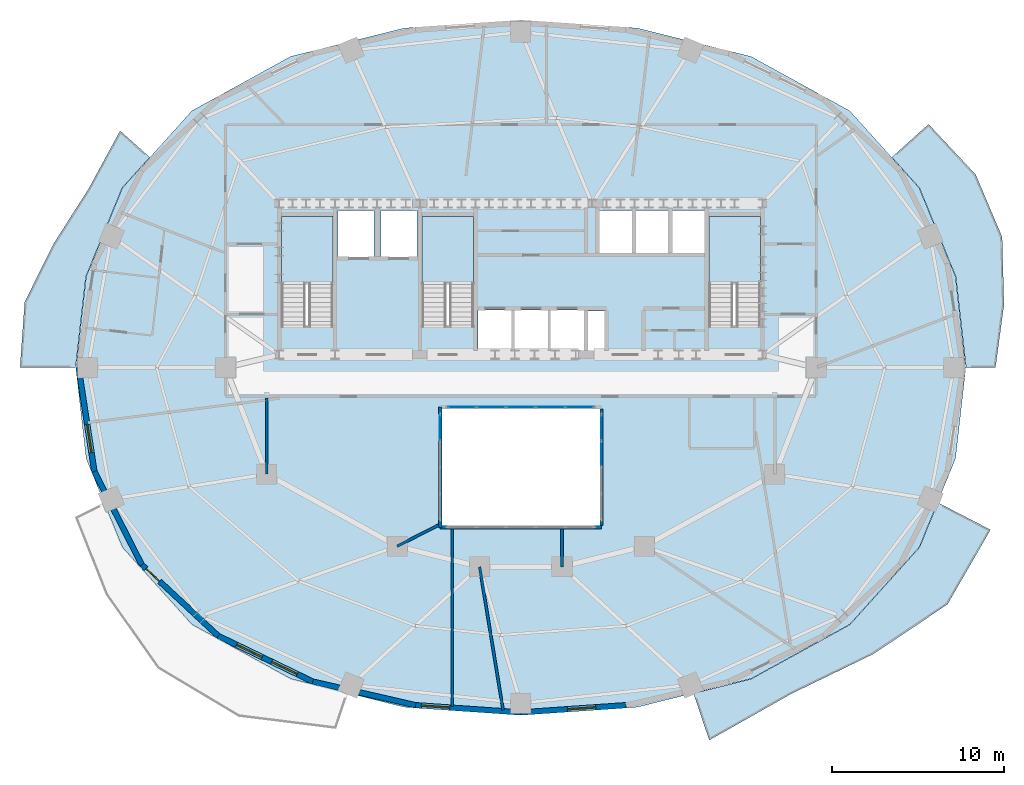
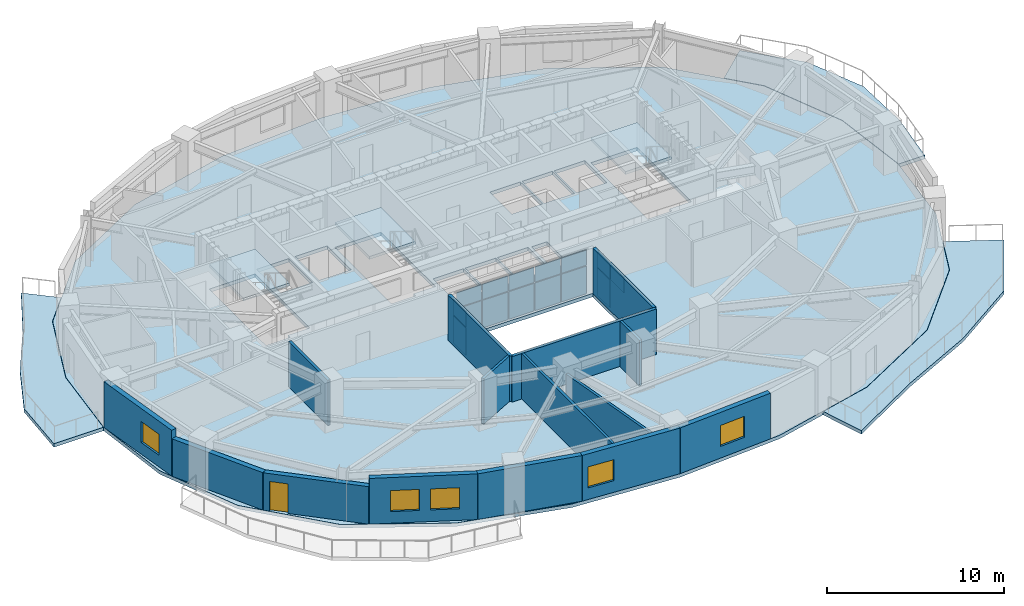
# One storey, part 5 of 12: 15 plates, 15 walls, 7 slabs, 5 windows, 1 door, 6 openings, 6 elements without a shape of their own.
"""IFC4 building model written with IfcOpenShell, lengths in metres."""

from ifc_helpers import new_model, si_unit, direction, frame, frame_2d, origin, origin_2d, place, context, subcontext, project, spatial, polyline, rectangle, outline, extrude, material, layer, layer_set, type_object, element, fill, aggregate, save


model = new_model("IFC4")

# Units and contexts
model_context = context("Model", 3, precision=1e-05, world=origin(), true_north=direction((0.0, 1.0)))
body_context = subcontext(model_context, "Body", "Model", "MODEL_VIEW")
ifc_project = project(units=[si_unit("LENGTHUNIT", "METRE"), si_unit("AREAUNIT", "SQUARE_METRE"), si_unit("VOLUMEUNIT", "CUBIC_METRE"), si_unit("PLANEANGLEUNIT", "RADIAN"), si_unit("MASSUNIT", "GRAM", prefix="KILO")], contexts=[model_context])

# Site, building, storey
site_placement = place(None, origin())
site = spatial("IfcSite", under=ifc_project, at=site_placement, CompositionType="ELEMENT")
building_placement = place(site_placement, origin())
building = spatial("IfcBuilding", under=site, at=building_placement, Name="Haldorwick Loom Tower", CompositionType="ELEMENT")
storey_placement = place(building_placement, frame((0.0, 0.0, 146.0)))
storey = spatial("IfcBuildingStorey", under=building, at=storey_placement, Name="L39", CompositionType="ELEMENT", Elevation=146.0)

# Curtain wall, plates
ifc_material_1 = material(Name="Thermally Broken Anodized Aluminium Curtain Wall Framing", Category="aluminium")
curtain_wall_type = type_object("IfcCurtainWallType", Name="ARC-CW-03", PredefinedType="NOTDEFINED", material=ifc_material_1)
curtain_wall_1_placement = place(storey_placement, origin())
curtain_wall_1 = element("IfcCurtainWall", 1, at=curtain_wall_1_placement, inside=storey, type_object=curtain_wall_type, Name="L39 Atrium Glazed Screen N", PredefinedType="NOTDEFINED")
ifc_material_2 = material(Name="Triple-Glazed Low-E Argon Insulated Glazing Unit", Category="glass")
ifc_layer_1 = layer(ifc_material_2, 0.04296875, Name="Triple-Glazed Low-E Argon Insulated Glazing Unit", Category="glass")
ifc_layer_set_1 = layer_set([ifc_layer_1], Name="Triple-Glazed Low-E Argon Insulated Glazing Unit")
plate_type = type_object("IfcPlateType", Name="ARC-CWP-03", PredefinedType="CURTAIN_PANEL", material=ifc_layer_set_1)
plate_1_placement = place(storey_placement, frame((32.576416015625, 23.699951171875, 0.066162109375), z_axis=(0.0, 0.0, 1.0), x_axis=(1.0, 0.0, 0.0)))
plate_1 = element("IfcPlate", 2, at=plate_1_placement, type_object=plate_type, Name="CW-03 panel 1.1", PredefinedType="CURTAIN_PANEL", context=body_context, shape_type="SweptSolid", body=[
    extrude(rectangle(XDim=1.62109375, YDim=0.04296875, at=origin_2d()), origin(), (0.0, 0.0, 1.0), 1.90087890625),
])
plate_2_placement = place(storey_placement, frame((32.576416015625, 23.699951171875, 2.033203125), z_axis=(0.0, 0.0, 1.0), x_axis=(1.0, 0.0, 0.0)))
plate_2 = element("IfcPlate", 3, at=plate_2_placement, type_object=plate_type, Name="CW-03 panel 1.2", PredefinedType="CURTAIN_PANEL", context=body_context, shape_type="SweptSolid", body=[
    extrude(rectangle(XDim=1.62109375, YDim=0.04296875, at=origin_2d()), origin(), (0.0, 0.0, 1.0), 1.051025390625),
])
plate_3_placement = place(storey_placement, frame((34.280029296875, 23.699951171875, 0.066162109375), z_axis=(0.0, 0.0, 1.0), x_axis=(1.0, 0.0, 0.0)))
plate_3 = element("IfcPlate", 4, at=plate_3_placement, type_object=plate_type, Name="CW-03 panel 2.1", PredefinedType="CURTAIN_PANEL", context=body_context, shape_type="SweptSolid", body=[
    extrude(rectangle(XDim=1.654052734375, YDim=0.04296875, at=origin_2d()), origin(), (0.0, 0.0, 1.0), 1.90087890625),
])
plate_4_placement = place(storey_placement, frame((34.280029296875, 23.699951171875, 2.033203125), z_axis=(0.0, 0.0, 1.0), x_axis=(1.0, 0.0, 0.0)))
plate_4 = element("IfcPlate", 5, at=plate_4_placement, type_object=plate_type, Name="CW-03 panel 2.2", PredefinedType="CURTAIN_PANEL", context=body_context, shape_type="SweptSolid", body=[
    extrude(rectangle(XDim=1.654052734375, YDim=0.04296875, at=origin_2d()), origin(), (0.0, 0.0, 1.0), 1.051025390625),
])
plate_5_placement = place(storey_placement, frame((36.0, 23.699951171875, 0.066162109375), z_axis=(0.0, 0.0, 1.0), x_axis=(1.0, 0.0, 0.0)))
plate_5 = element("IfcPlate", 6, at=plate_5_placement, type_object=plate_type, Name="CW-03 panel 3.1", PredefinedType="CURTAIN_PANEL", context=body_context, shape_type="SweptSolid", body=[
    extrude(rectangle(XDim=1.654052734375, YDim=0.04296875, at=origin_2d()), origin(), (0.0, 0.0, 1.0), 1.90087890625),
])
plate_6_placement = place(storey_placement, frame((36.0, 23.699951171875, 2.033203125), z_axis=(0.0, 0.0, 1.0), x_axis=(1.0, 0.0, 0.0)))
plate_6 = element("IfcPlate", 7, at=plate_6_placement, type_object=plate_type, Name="CW-03 panel 3.2", PredefinedType="CURTAIN_PANEL", context=body_context, shape_type="SweptSolid", body=[
    extrude(rectangle(XDim=1.654052734375, YDim=0.04296875, at=origin_2d()), origin(), (0.0, 0.0, 1.0), 1.051025390625),
])
plate_7_placement = place(storey_placement, frame((37.719970703125, 23.699951171875, 0.066162109375), z_axis=(0.0, 0.0, 1.0), x_axis=(1.0, 0.0, 0.0)))
plate_7 = element("IfcPlate", 8, at=plate_7_placement, type_object=plate_type, Name="CW-03 panel 4.1", PredefinedType="CURTAIN_PANEL", context=body_context, shape_type="SweptSolid", body=[
    extrude(rectangle(XDim=1.654052734375, YDim=0.04296875, at=origin_2d()), origin(), (0.0, 0.0, 1.0), 1.90087890625),
])
plate_8_placement = place(storey_placement, frame((37.719970703125, 23.699951171875, 2.033203125), z_axis=(0.0, 0.0, 1.0), x_axis=(1.0, 0.0, 0.0)))
plate_8 = element("IfcPlate", 9, at=plate_8_placement, type_object=plate_type, Name="CW-03 panel 4.2", PredefinedType="CURTAIN_PANEL", context=body_context, shape_type="SweptSolid", body=[
    extrude(rectangle(XDim=1.654052734375, YDim=0.04296875, at=origin_2d()), origin(), (0.0, 0.0, 1.0), 1.051025390625),
])
plate_9_placement = place(storey_placement, frame((39.423583984375, 23.699951171875, 0.066162109375), z_axis=(0.0, 0.0, 1.0), x_axis=(1.0, 0.0, 0.0)))
plate_9 = element("IfcPlate", 10, at=plate_9_placement, type_object=plate_type, Name="CW-03 panel 5.1", PredefinedType="CURTAIN_PANEL", context=body_context, shape_type="SweptSolid", body=[
    extrude(rectangle(XDim=1.62109375, YDim=0.04296875, at=origin_2d()), origin(), (0.0, 0.0, 1.0), 1.90087890625),
])
plate_10_placement = place(storey_placement, frame((39.423583984375, 23.699951171875, 2.033203125), z_axis=(0.0, 0.0, 1.0), x_axis=(1.0, 0.0, 0.0)))
plate_10 = element("IfcPlate", 11, at=plate_10_placement, type_object=plate_type, Name="CW-03 panel 5.2", PredefinedType="CURTAIN_PANEL", context=body_context, shape_type="SweptSolid", body=[
    extrude(rectangle(XDim=1.62109375, YDim=0.04296875, at=origin_2d()), origin(), (0.0, 0.0, 1.0), 1.051025390625),
])
aggregate(curtain_wall_1, [plate_1, plate_2, plate_3, plate_4, plate_5, plate_6, plate_7, plate_8, plate_9, plate_10])

curtain_wall_2_placement = place(storey_placement, origin())
curtain_wall_2 = element("IfcCurtainWall", 12, at=curtain_wall_2_placement, inside=storey, type_object=curtain_wall_type, Name="L39 Atrium Glazed Screen W", PredefinedType="NOTDEFINED")
plate_11_placement = place(storey_placement, frame((31.300048828125, 22.508544921875, 0.066162109375), z_axis=(0.0, 0.0, 1.0), x_axis=(0.0, 1.0, 0.0)))
plate_11 = element("IfcPlate", 13, at=plate_11_placement, type_object=plate_type, Name="CW-03 panel 4.1", PredefinedType="CURTAIN_PANEL", context=body_context, shape_type="SweptSolid", body=[
    extrude(rectangle(XDim=1.450927734375, YDim=0.04296875, at=origin_2d()), origin(), (0.0, 0.0, 1.0), 1.90087890625),
])
plate_12_placement = place(storey_placement, frame((31.300048828125, 22.508544921875, 2.033203125), z_axis=(0.0, 0.0, 1.0), x_axis=(0.0, 1.0, 0.0)))
plate_12 = element("IfcPlate", 14, at=plate_12_placement, type_object=plate_type, Name="CW-03 panel 4.2", PredefinedType="CURTAIN_PANEL", context=body_context, shape_type="SweptSolid", body=[
    extrude(rectangle(XDim=1.450927734375, YDim=0.04296875, at=origin_2d()), origin(), (0.0, 0.0, 1.0), 1.051025390625),
])
aggregate(curtain_wall_2, [plate_11, plate_12])

curtain_wall_3_placement = place(storey_placement, origin())
curtain_wall_3 = element("IfcCurtainWall", 15, at=curtain_wall_3_placement, inside=storey, type_object=curtain_wall_type, Name="L39 Atrium Glazed Screen E", PredefinedType="NOTDEFINED")
plate_13_placement = place(storey_placement, frame((40.699951171875, 22.508544921875, 0.066162109375), z_axis=(0.0, 0.0, 1.0), x_axis=(0.0, -1.0, 0.0)))
plate_13 = element("IfcPlate", 16, at=plate_13_placement, type_object=plate_type, Name="CW-03 panel 1.1", PredefinedType="CURTAIN_PANEL", context=body_context, shape_type="SweptSolid", body=[
    extrude(rectangle(XDim=1.450927734375, YDim=0.04296875, at=origin_2d()), origin(), (0.0, 0.0, 1.0), 1.90087890625),
])
plate_14_placement = place(storey_placement, frame((40.699951171875, 22.508544921875, 2.033203125), z_axis=(0.0, 0.0, 1.0), x_axis=(0.0, -1.0, 0.0)))
plate_14 = element("IfcPlate", 17, at=plate_14_placement, type_object=plate_type, Name="CW-03 panel 1.2", PredefinedType="CURTAIN_PANEL", context=body_context, shape_type="SweptSolid", body=[
    extrude(rectangle(XDim=1.450927734375, YDim=0.04296875, at=origin_2d()), origin(), (0.0, 0.0, 1.0), 1.051025390625),
])
plate_15_placement = place(storey_placement, frame((40.699951171875, 20.97509765625, 2.033203125), z_axis=(0.0, 0.0, 1.0), x_axis=(0.0, -1.0, 0.0)))
plate_15 = element("IfcPlate", 18, at=plate_15_placement, type_object=plate_type, Name="CW-03 panel 2.2", PredefinedType="CURTAIN_PANEL", context=body_context, shape_type="SweptSolid", body=[
    extrude(rectangle(XDim=1.48388671875, YDim=0.04296875, at=origin_2d()), origin(), (0.0, 0.0, 1.0), 1.051025390625),
])
aggregate(curtain_wall_3, [plate_13, plate_14, plate_15])

# Slabs
ifc_material_3 = material(Name="Concrete C40 (40 MPa)", Category="concrete")
ifc_layer_2 = layer(ifc_material_3, 0.239990234375, Name="Concrete C40 (40 MPa)", Category="concrete")
ifc_layer_set_2 = layer_set([ifc_layer_2], Name="Concrete C40 (40 MPa)")
slab_type_1 = type_object("IfcSlabType", Name="STR-SLB-BAL240", PredefinedType="FLOOR", material=ifc_layer_set_2)
slab_1_placement = place(storey_placement, frame((0.0, 0.0, -0.239990234375)))
element("IfcSlab", 19, at=slab_1_placement, inside=storey, type_object=slab_type_1, Name="L39 Sinusoidal Balcony Terrace BAL_SE", PredefinedType="FLOOR", context=body_context, shape_type="SweptSolid", body=[
    extrude(outline(polyline([(60.2841796875, 18.141357421875), (59.216064453125, 15.530517578125), (59.21533203125, 15.529296875), (59.21484375, 15.528076171875), (59.214111328125, 15.527099609375), (59.213134765625, 15.526123046875), (55.16162109375, 11.031005859375), (55.16064453125, 11.02978515625), (55.1591796875, 11.028564453125), (55.15771484375, 11.02783203125), (49.40283203125, 7.863037109375), (49.40185546875, 7.8623046875), (49.400634765625, 7.86181640625), (49.3994140625, 7.861572265625), (46.0595703125, 7.02783203125), (46.9736328125, 4.302490234375), (51.74560546875, 7.0), (56.504150390625, 9.30810546875), (60.846435546875, 12.208251953125), (63.35400390625, 16.555908203125), (60.2841796875, 18.141357421875)])), origin(), (0.0, 0.0, 1.0), 0.239990234375),
])
slab_2_placement = place(storey_placement, frame((0.0, 0.0, -0.239990234375)))
element("IfcSlab", 20, at=slab_2_placement, inside=storey, type_object=slab_type_1, Name="L39 Sinusoidal Balcony Terrace BAL_WNW", PredefinedType="FLOOR", context=body_context, shape_type="SweptSolid", body=[
    extrude(outline(polyline([(10.068115234375, 26.0), (10.068115234375, 26.001708984375), (10.669677734375, 31.30029296875), (10.669921875, 31.3017578125), (10.670166015625, 31.302978515625), (10.670654296875, 31.30419921875), (12.783935546875, 36.469482421875), (12.78466796875, 36.470703125), (12.78515625, 36.4716796875), (12.785888671875, 36.472900390625), (12.786865234375, 36.473876953125), (14.389892578125, 38.25244140625), (12.66259765625, 39.794677734375), (10.810791015625, 36.3857421875), (8.81103515625, 33.25048828125), (7.10693359375, 29.826416015625), (6.8330078125, 26.0), (10.068115234375, 26.0)])), origin(), (0.0, 0.0, 1.0), 0.239990234375),
])
slab_3_placement = place(storey_placement, frame((0.0, 0.0, -0.239990234375)))
element("IfcSlab", 21, at=slab_3_placement, inside=storey, type_object=slab_type_1, Name="L39 Sinusoidal Balcony Terrace BAL_ENE", PredefinedType="FLOOR", context=body_context, shape_type="SweptSolid", body=[
    extrude(outline(polyline([(57.60986328125, 38.2529296875), (59.213134765625, 36.473876953125), (59.214111328125, 36.472900390625), (59.21484375, 36.4716796875), (59.21533203125, 36.470703125), (59.216064453125, 36.469482421875), (61.329345703125, 31.30419921875), (61.329833984375, 31.302978515625), (61.330078125, 31.3017578125), (61.330322265625, 31.30029296875), (61.931884765625, 26.001708984375), (61.931884765625, 26.0), (63.6435546875, 26.0), (64.139892578125, 29.673583984375), (64.032470703125, 33.601318359375), (62.494384765625, 37.237060546875), (59.746337890625, 40.1748046875), (57.60986328125, 38.2529296875)])), origin(), (0.0, 0.0, 1.0), 0.239990234375),
])

# Stair, slab
stair_type = type_object("IfcStairType", Name="STR-STR-CORE", PredefinedType="HALF_TURN_STAIR", material=ifc_material_3)
stair_1_placement = place(storey_placement, origin())
stair_1 = element("IfcStair", 22, at=stair_1_placement, inside=storey, type_object=stair_type, Name="L39 Exit Stair ST-01", PredefinedType="HALF_TURN_STAIR")
ifc_layer_3 = layer(ifc_material_3, 0.199951171875, Name="Concrete C40 (40 MPa)", Category="concrete")
ifc_layer_set_3 = layer_set([ifc_layer_3], Name="Concrete C40 (40 MPa)")
slab_type_2 = type_object("IfcSlabType", Name="STR-SLB-LAND200", PredefinedType="LANDING", material=ifc_layer_set_3)
slab_4_placement = place(storey_placement, frame((0.0, 0.0, 1.52490234375)))
slab_4 = element("IfcSlab", 23, at=slab_4_placement, type_object=slab_type_2, Name="ST-01 landing 1", PredefinedType="LANDING", context=body_context, shape_type="SweptSolid", body=[
    extrude(outline(polyline([(25.050048828125, 30.919921875), (25.050048828125, 34.800048828125), (22.050048828125, 34.800048828125), (22.050048828125, 30.919921875), (25.050048828125, 30.919921875)])), origin(), (0.0, 0.0, 1.0), 0.2001953125),
])
aggregate(stair_1, [slab_4])

stair_2_placement = place(storey_placement, origin())
stair_2 = element("IfcStair", 24, at=stair_2_placement, inside=storey, type_object=stair_type, Name="L39 Exit Stair ST-02", PredefinedType="HALF_TURN_STAIR")
slab_5_placement = place(storey_placement, frame((0.0, 0.0, 1.52490234375)))
slab_5 = element("IfcSlab", 25, at=slab_5_placement, type_object=slab_type_2, Name="ST-02 landing 1", PredefinedType="LANDING", context=body_context, shape_type="SweptSolid", body=[
    extrude(outline(polyline([(49.949951171875, 30.919921875), (49.949951171875, 34.800048828125), (46.949951171875, 34.800048828125), (46.949951171875, 30.919921875), (49.949951171875, 30.919921875)])), origin(), (0.0, 0.0, 1.0), 0.2001953125),
])
aggregate(stair_2, [slab_5])

stair_3_placement = place(storey_placement, origin())
stair_3 = element("IfcStair", 26, at=stair_3_placement, inside=storey, type_object=stair_type, Name="L39 Exit Stair ST-03", PredefinedType="HALF_TURN_STAIR")
slab_6_placement = place(storey_placement, frame((0.0, 0.0, 1.52490234375)))
slab_6 = element("IfcSlab", 27, at=slab_6_placement, type_object=slab_type_2, Name="ST-03 landing 1", PredefinedType="LANDING", context=body_context, shape_type="SweptSolid", body=[
    extrude(outline(polyline([(33.25, 30.919921875), (33.25, 34.800048828125), (30.25, 34.800048828125), (30.25, 30.919921875), (33.25, 30.919921875)])), origin(), (0.0, 0.0, 1.0), 0.2001953125),
])
aggregate(stair_3, [slab_6])

# Slab
ifc_layer_4 = layer(ifc_material_3, 0.239990234375, Name="Concrete C40 (40 MPa)", Category="concrete")
ifc_layer_set_4 = layer_set([ifc_layer_4], Name="Concrete C40 (40 MPa)")
slab_type_3 = type_object("IfcSlabType", Name="STR-SLB-RES240", PredefinedType="FLOOR", material=ifc_layer_set_4)
slab_7_placement = place(storey_placement, frame((0.0, 0.0, -0.239990234375)))
element("IfcSlab", 28, at=slab_7_placement, inside=storey, type_object=slab_type_3, Name="L39 Residential Structural Floor Slab", PredefinedType="FLOOR", context=body_context, shape_type="SweptSolid", body=[
    extrude(outline(polyline([(55.150634765625, 11.041015625), (59.2021484375, 15.5361328125), (61.3154296875, 20.701416015625), (61.9169921875, 26.0), (61.3154296875, 31.298583984375), (59.2021484375, 36.4638671875), (55.150634765625, 40.958984375), (49.395751953125, 44.123779296875), (42.783203125, 45.774658203125), (36.0, 46.24462890625), (29.216796875, 45.774658203125), (22.604248046875, 44.123779296875), (16.849365234375, 40.958984375), (12.7978515625, 36.4638671875), (10.6845703125, 31.298583984375), (10.0830078125, 26.0), (10.6845703125, 20.701416015625), (12.7978515625, 15.5361328125), (16.849365234375, 11.041015625), (22.604248046875, 7.876220703125), (29.216796875, 6.225341796875), (36.0, 5.75537109375), (42.783203125, 6.225341796875), (49.395751953125, 7.876220703125), (55.150634765625, 11.041015625)]), holes=[polyline([(31.39990234375, 16.800048828125), (31.39990234375, 23.60009765625), (40.60009765625, 23.60009765625), (40.60009765625, 16.800048828125), (31.39990234375, 16.800048828125)]), polyline([(33.5, 26.85009765625), (33.5, 29.35009765625), (35.5, 29.35009765625), (35.5, 26.85009765625), (33.5, 26.85009765625)]), polyline([(35.60009765625, 26.85009765625), (35.60009765625, 29.35009765625), (37.60009765625, 29.35009765625), (37.60009765625, 26.85009765625), (35.60009765625, 26.85009765625)]), polyline([(23.6201171875, 28.39990234375), (22.050048828125, 28.39990234375), (22.050048828125, 34.800048828125), (25.050048828125, 34.800048828125), (25.050048828125, 28.639892578125), (23.6201171875, 28.639892578125), (23.6201171875, 28.39990234375)]), polyline([(30.25, 28.39990234375), (30.25, 34.800048828125), (33.25, 34.800048828125), (33.25, 28.639892578125), (31.820068359375, 28.639892578125), (31.820068359375, 28.39990234375), (30.25, 28.39990234375)]), polyline([(25.35009765625, 32.449951171875), (25.35009765625, 35.14990234375), (27.449951171875, 35.14990234375), (27.449951171875, 32.449951171875), (25.35009765625, 32.449951171875)]), polyline([(29.949951171875, 32.449951171875), (27.85009765625, 32.449951171875), (27.85009765625, 35.14990234375), (29.949951171875, 35.14990234375), (29.949951171875, 32.449951171875)]), polyline([(37.699951171875, 26.85009765625), (37.699951171875, 29.35009765625), (39.699951171875, 29.35009765625), (39.699951171875, 26.85009765625), (37.699951171875, 26.85009765625)]), polyline([(39.89990234375, 26.89990234375), (39.89990234375, 29.300048828125), (40.89990234375, 29.300048828125), (40.89990234375, 26.89990234375), (39.89990234375, 26.89990234375)]), polyline([(46.949951171875, 28.39990234375), (46.949951171875, 34.800048828125), (49.949951171875, 34.800048828125), (49.949951171875, 28.639892578125), (48.52001953125, 28.639892578125), (48.52001953125, 28.39990234375), (46.949951171875, 28.39990234375)]), polyline([(40.550048828125, 32.64990234375), (40.550048828125, 35.14990234375), (42.550048828125, 35.14990234375), (42.550048828125, 32.64990234375), (40.550048828125, 32.64990234375)]), polyline([(42.64990234375, 32.64990234375), (42.64990234375, 35.14990234375), (44.64990234375, 35.14990234375), (44.64990234375, 32.64990234375), (42.64990234375, 32.64990234375)]), polyline([(44.75, 32.64990234375), (44.75, 35.14990234375), (46.75, 35.14990234375), (46.75, 32.64990234375), (44.75, 32.64990234375)])]), origin(), (0.0, 0.0, 1.0), 0.239990234375),
])

# Wall, opening, window
ifc_material_4 = material(Name="Pressed Clay Face Brick and Insulated Masonry Backup Assembly", Category="masonry")
ifc_layer_5 = layer(ifc_material_4, 0.320068359375, Name="Pressed Clay Face Brick and Insulated Masonry Backup Assembly", Category="masonry")
ifc_layer_set_5 = layer_set([ifc_layer_5], Name="Pressed Clay Face Brick and Insulated Masonry Backup Assembly")
wall_type_1 = type_object("IfcWallType", Name="ARC-WL-EXT320", PredefinedType="STANDARD", material=ifc_layer_set_5)
wall_1_placement = place(storey_placement, frame((10.242919921875, 26.0, 0.0), z_axis=(0.0, 0.0, 1.0), x_axis=(0.150544467684, -0.988603238539, 0.0)))
wall_1 = element("IfcWall", 29, at=wall_1_placement, inside=storey, type_object=wall_type_1, Name="L39 Brick Pier and Spandrel Wall 13", PredefinedType="STANDARD", context=body_context, shape_type="SweptSolid", body=[
    extrude(rectangle(XDim=6.125244140625, YDim=0.320068359375, at=frame_2d((3.0625, 0.0))), origin(), (0.0, 0.0, 1.0), 3.14990234375),
])
opening_1_placement = place(wall_1_placement, frame((3.35205078125, 0.0, 0.800048828125)))
opening_1 = element("IfcOpeningElement", 30, at=opening_1_placement, cuts=wall_1, Name="Opening W-01B", PredefinedType="OPENING", context=body_context, shape_type="SweptSolid", body=[
    extrude(rectangle(XDim=1.64990234375, YDim=1.449951171875, at=frame_2d((0.824951171875, 0.72509765625))), frame((0.0, 0.169921875, 0.0), z_axis=(0.0, -1.0, 0.0), x_axis=(1.0, 0.0, 0.0)), (0.0, 0.0, 1.0), 0.340087890625),
])
window_type = type_object("IfcWindowType", Name="ARC-WIN-W165", PartitioningType="SINGLE_PANEL", PredefinedType="WINDOW", material=ifc_material_2)
window_1_placement = place(opening_1_placement, origin())
window_1 = element("IfcWindow", 31, at=window_1_placement, inside=storey, type_object=window_type, Name="L39 Deep-Set Zone 7A Window 13", OverallHeight=1.449951171875, OverallWidth=1.64990234375, PartitioningType="SINGLE_PANEL", PredefinedType="WINDOW", context=body_context, shape_type="SweptSolid", body=[
    extrude(rectangle(XDim=1.64990234375, YDim=1.449951171875, at=frame_2d((0.824951171875, 0.72509765625))), frame((0.0, 0.030029296875, 0.0), z_axis=(0.0, -1.0, 0.0), x_axis=(1.0, 0.0, 0.0)), (0.0, 0.0, 1.0), 0.06005859375),
])
fill(opening_1, window_1)

# Wall
wall_2_placement = place(storey_placement, frame((11.1650390625, 19.944580078125, 0.0), z_axis=(0.0, 0.0, 1.0), x_axis=(0.453172129629, -0.89142303141, 0.0)))
element("IfcWall", 32, at=wall_2_placement, inside=storey, type_object=wall_type_1, Name="L39 Brick Pier and Spandrel Wall 14", PredefinedType="STANDARD", context=body_context, shape_type="SweptSolid", body=[
    extrude(rectangle(XDim=6.086669921875, YDim=0.320068359375, at=frame_2d((3.04345703125, 0.0))), origin(), (0.0, 0.0, 1.0), 2.5810546875),
])

# Wall, opening, door
wall_3_placement = place(storey_placement, frame((13.92333984375, 14.518798828125, 0.0), z_axis=(0.0, 0.0, 1.0), x_axis=(0.732001571644, -0.681302942244, 0.0)))
wall_3 = element("IfcWall", 33, at=wall_3_placement, inside=storey, type_object=wall_type_1, Name="L39 Brick Pier and Spandrel Wall 15", PredefinedType="STANDARD", context=body_context, shape_type="SweptSolid", body=[
    extrude(rectangle(XDim=6.0869140625, YDim=0.320068359375, at=frame_2d((3.04345703125, 0.0))), origin(), (0.0, 0.0, 1.0), 2.5810546875),
])
opening_2_placement = place(wall_3_placement, frame((0.340087890625, 0.0, 0.0)))
opening_2 = element("IfcOpeningElement", 34, at=opening_2_placement, cuts=wall_3, Name="Opening D-BL11", PredefinedType="OPENING", context=body_context, shape_type="SweptSolid", body=[
    extrude(rectangle(XDim=1.080078125, YDim=2.0400390625, at=frame_2d((0.5400390625, 1.02001953125))), frame((0.0, 0.169921875, 0.0), z_axis=(0.0, -1.0, 0.0), x_axis=(1.0, 0.0, 0.0)), (0.0, 0.0, 1.0), 0.340087890625),
])
door_type = type_object("IfcDoorType", Name="ARC-DR-BAL110", OperationType="NOTDEFINED", PredefinedType="DOOR", material=ifc_material_1)
door_placement = place(opening_2_placement, origin())
door = element("IfcDoor", 35, at=door_placement, inside=storey, type_object=door_type, Name="L39 Outdoor Terrace Door SLB-L39-BAL_SW", OperationType="SINGLE_SWING_LEFT", OverallHeight=2.0400390625, OverallWidth=1.080078125, PredefinedType="DOOR", context=body_context, shape_type="SweptSolid", body=[
    extrude(rectangle(XDim=1.080078125, YDim=2.0400390625, at=frame_2d((0.5400390625, 1.02001953125))), frame((0.0, 0.02490234375, 0.0), z_axis=(0.0, -1.0, 0.0), x_axis=(1.0, 0.0, 0.0)), (0.0, 0.0, 1.0), 0.050048828125),
])
fill(opening_2, door)

# Wall, openings, windows
wall_4_placement = place(storey_placement, frame((18.37890625, 10.371826171875, 0.0), z_axis=(0.0, 0.0, 1.0), x_axis=(0.900472429216, -0.43491309962, 0.0)))
wall_4 = element("IfcWall", 36, at=wall_4_placement, inside=storey, type_object=wall_type_1, Name="L39 Brick Pier and Spandrel Wall 16", PredefinedType="STANDARD", context=body_context, shape_type="SweptSolid", body=[
    extrude(rectangle(XDim=6.1181640625, YDim=0.320068359375, at=frame_2d((3.05908203125, 0.0))), origin(), (0.0, 0.0, 1.0), 3.14990234375),
])
opening_3_placement = place(wall_4_placement, frame((1.181884765625, 0.0, 0.800048828125)))
opening_3 = element("IfcOpeningElement", 37, at=opening_3_placement, cuts=wall_4, Name="Opening W-01B", PredefinedType="OPENING", context=body_context, shape_type="SweptSolid", body=[
    extrude(rectangle(XDim=1.64990234375, YDim=1.449951171875, at=frame_2d((0.824951171875, 0.72509765625))), frame((0.0, 0.169921875, 0.0), z_axis=(0.0, -1.0, 0.0), x_axis=(1.0, 0.0, 0.0)), (0.0, 0.0, 1.0), 0.340087890625),
])
opening_4_placement = place(wall_4_placement, frame((3.4580078125, 0.0, 0.800048828125)))
opening_4 = element("IfcOpeningElement", 38, at=opening_4_placement, cuts=wall_4, Name="Opening W-01B", PredefinedType="OPENING", context=body_context, shape_type="SweptSolid", body=[
    extrude(rectangle(XDim=1.64990234375, YDim=1.449951171875, at=frame_2d((0.824951171875, 0.72509765625))), frame((0.0, 0.169921875, 0.0), z_axis=(0.0, -1.0, 0.0), x_axis=(1.0, 0.0, 0.0)), (0.0, 0.0, 1.0), 0.340087890625),
])
window_2_placement = place(opening_3_placement, origin())
window_2 = element("IfcWindow", 39, at=window_2_placement, inside=storey, type_object=window_type, Name="L39 Deep-Set Zone 7A Window 16", OverallHeight=1.449951171875, OverallWidth=1.64990234375, PartitioningType="SINGLE_PANEL", PredefinedType="WINDOW", context=body_context, shape_type="SweptSolid", body=[
    extrude(rectangle(XDim=1.64990234375, YDim=1.449951171875, at=frame_2d((0.824951171875, 0.72509765625))), frame((0.0, 0.030029296875, 0.0), z_axis=(0.0, -1.0, 0.0), x_axis=(1.0, 0.0, 0.0)), (0.0, 0.0, 1.0), 0.06005859375),
])
fill(opening_3, window_2)
window_3_placement = place(opening_4_placement, origin())
window_3 = element("IfcWindow", 40, at=window_3_placement, inside=storey, type_object=window_type, Name="L39 Deep-Set Zone 7A Window 16", OverallHeight=1.449951171875, OverallWidth=1.64990234375, PartitioningType="SINGLE_PANEL", PredefinedType="WINDOW", context=body_context, shape_type="SweptSolid", body=[
    extrude(rectangle(XDim=1.64990234375, YDim=1.449951171875, at=frame_2d((0.824951171875, 0.72509765625))), frame((0.0, 0.030029296875, 0.0), z_axis=(0.0, -1.0, 0.0), x_axis=(1.0, 0.0, 0.0)), (0.0, 0.0, 1.0), 0.06005859375),
])
fill(opening_4, window_3)

# Wall
wall_5_placement = place(storey_placement, frame((23.88818359375, 7.7109375, 0.0), z_axis=(0.0, 0.0, 1.0), x_axis=(0.974593223547, -0.223982250674, 0.0)))
element("IfcWall", 41, at=wall_5_placement, inside=storey, type_object=wall_type_1, Name="L39 Brick Pier and Spandrel Wall 17", PredefinedType="STANDARD", context=body_context, shape_type="SweptSolid", body=[
    extrude(rectangle(XDim=6.138916015625, YDim=0.320068359375, at=frame_2d((3.0693359375, 0.0))), origin(), (0.0, 0.0, 1.0), 3.14990234375),
])

# Wall, opening, window
wall_6_placement = place(storey_placement, frame((29.87109375, 6.3359375, 0.0), z_axis=(0.0, 0.0, 1.0), x_axis=(0.997652942988, -0.068473391522, 0.0)))
wall_6 = element("IfcWall", 42, at=wall_6_placement, inside=storey, type_object=wall_type_1, Name="L39 Brick Pier and Spandrel Wall 18", PredefinedType="STANDARD", context=body_context, shape_type="SweptSolid", body=[
    extrude(rectangle(XDim=6.143310546875, YDim=0.320068359375, at=frame_2d((3.07177734375, 0.0))), origin(), (0.0, 0.0, 1.0), 3.14990234375),
])
opening_5_placement = place(wall_6_placement, frame((0.340087890625, 0.0, 0.800048828125)))
opening_5 = element("IfcOpeningElement", 43, at=opening_5_placement, cuts=wall_6, Name="Opening W-01B", PredefinedType="OPENING", context=body_context, shape_type="SweptSolid", body=[
    extrude(rectangle(XDim=1.64990234375, YDim=1.449951171875, at=frame_2d((0.824951171875, 0.72509765625))), frame((0.0, 0.169921875, 0.0), z_axis=(0.0, -1.0, 0.0), x_axis=(1.0, 0.0, 0.0)), (0.0, 0.0, 1.0), 0.340087890625),
])
window_4_placement = place(opening_5_placement, origin())
window_4 = element("IfcWindow", 44, at=window_4_placement, inside=storey, type_object=window_type, Name="L39 Deep-Set Zone 7A Window 18", OverallHeight=1.449951171875, OverallWidth=1.64990234375, PartitioningType="SINGLE_PANEL", PredefinedType="WINDOW", context=body_context, shape_type="SweptSolid", body=[
    extrude(rectangle(XDim=1.64990234375, YDim=1.449951171875, at=frame_2d((0.824951171875, 0.72509765625))), frame((0.0, 0.030029296875, 0.0), z_axis=(0.0, -1.0, 0.0), x_axis=(1.0, 0.0, 0.0)), (0.0, 0.0, 1.0), 0.06005859375),
])
fill(opening_5, window_4)

wall_7_placement = place(storey_placement, frame((36.0, 5.915283203125, 0.0), z_axis=(0.0, 0.0, 1.0), x_axis=(0.997652942988, 0.068473391522, 0.0)))
wall_7 = element("IfcWall", 45, at=wall_7_placement, inside=storey, type_object=wall_type_1, Name="L39 Brick Pier and Spandrel Wall 19", PredefinedType="STANDARD", context=body_context, shape_type="SweptSolid", body=[
    extrude(rectangle(XDim=6.143310546875, YDim=0.320068359375, at=frame_2d((3.07177734375, 0.0))), origin(), (0.0, 0.0, 1.0), 3.14990234375),
])
opening_6_placement = place(wall_7_placement, frame((2.723388671875, 0.0, 0.800048828125)))
opening_6 = element("IfcOpeningElement", 46, at=opening_6_placement, cuts=wall_7, Name="Opening W-01B", PredefinedType="OPENING", context=body_context, shape_type="SweptSolid", body=[
    extrude(rectangle(XDim=1.64990234375, YDim=1.449951171875, at=frame_2d((0.824951171875, 0.72509765625))), frame((0.0, 0.169921875, 0.0), z_axis=(0.0, -1.0, 0.0), x_axis=(1.0, 0.0, 0.0)), (0.0, 0.0, 1.0), 0.340087890625),
])
window_5_placement = place(opening_6_placement, origin())
window_5 = element("IfcWindow", 47, at=window_5_placement, inside=storey, type_object=window_type, Name="L39 Deep-Set Zone 7A Window 19", OverallHeight=1.449951171875, OverallWidth=1.64990234375, PartitioningType="SINGLE_PANEL", PredefinedType="WINDOW", context=body_context, shape_type="SweptSolid", body=[
    extrude(rectangle(XDim=1.64990234375, YDim=1.449951171875, at=frame_2d((0.824951171875, 0.72509765625))), frame((0.0, 0.030029296875, 0.0), z_axis=(0.0, -1.0, 0.0), x_axis=(1.0, 0.0, 0.0)), (0.0, 0.0, 1.0), 0.06005859375),
])
fill(opening_6, window_5)

# Walls
ifc_material_5 = material(Name="Fire-Rated Type X Gypsum Stud Assembly EI 60")
ifc_layer_6 = layer(ifc_material_5, 0.159912109375, Name="Fire-Rated Type X Gypsum Stud Assembly EI 60")
ifc_layer_set_6 = layer_set([ifc_layer_6], Name="Fire-Rated Type X Gypsum Stud Assembly EI 60")
wall_type_2 = type_object("IfcWallType", Name="ARC-WL-FIRE160", PredefinedType="PARTITIONING", material=ifc_layer_set_6)
wall_8_placement = place(storey_placement, frame((33.60009765625, 14.39990234375, 0.0), z_axis=(0.0, 0.0, 1.0), x_axis=(0.161777791268, -0.986827211954, 0.0)))
element("IfcWall", 48, at=wall_8_placement, inside=storey, type_object=wall_type_2, Name="L39 Residential Fire Partition L39-ICR-07", PredefinedType="PARTITIONING", context=body_context, shape_type="SweptSolid", body=[
    extrude(rectangle(XDim=8.4599609375, YDim=0.159912109375, at=frame_2d((4.22998046875, 0.0))), origin(), (0.0, 0.0, 1.0), 2.508056640625),
])
wall_9_placement = place(storey_placement, frame((32.0, 6.255126953125, 0.0), z_axis=(0.0, 0.0, 1.0), x_axis=(0.0, 1.0, 0.0)))
element("IfcWall", 49, at=wall_9_placement, inside=storey, type_object=wall_type_2, Name="L39 Residential Fire Partition L39-SBP-0", PredefinedType="PARTITIONING", context=body_context, shape_type="SweptSolid", body=[
    extrude(rectangle(XDim=10.341796875, YDim=0.159912109375, at=frame_2d((5.1708984375, 0.0))), origin(), (0.0, 0.0, 1.0), 3.135009765625),
])
wall_10_placement = place(storey_placement, frame((38.39990234375, 16.596923828125, 0.0), z_axis=(0.0, 0.0, 1.0), x_axis=(0.0, -1.0, 0.0)))
element("IfcWall", 50, at=wall_10_placement, inside=storey, type_object=wall_type_2, Name="L39 Residential Fire Partition L39-ICA-05", PredefinedType="PARTITIONING", context=body_context, shape_type="SweptSolid", body=[
    extrude(rectangle(XDim=2.197021484375, YDim=0.159912109375, at=frame_2d((1.0986328125, 0.0))), origin(), (0.0, 0.0, 1.0), 3.135009765625),
])
wall_11_placement = place(storey_placement, frame((31.197021484375, 16.822021484375, 0.0), z_axis=(0.0, 0.0, 1.0), x_axis=(-0.890915506237, -0.454169088278, 0.0)))
element("IfcWall", 51, at=wall_11_placement, inside=storey, type_object=wall_type_2, Name="L39 Residential Fire Partition L39-ICA-08", PredefinedType="PARTITIONING", context=body_context, shape_type="SweptSolid", body=[
    extrude(rectangle(XDim=2.6904296875, YDim=0.159912109375, at=frame_2d((1.34521484375, 0.0))), origin(), (0.0, 0.0, 1.0), 3.135009765625),
])
wall_12_placement = place(storey_placement, frame((21.199951171875, 24.217041015625, 0.0), z_axis=(0.0, 0.0, 1.0), x_axis=(0.0, -1.0, 0.0)))
element("IfcWall", 52, at=wall_12_placement, inside=storey, type_object=wall_type_2, Name="L39 Residential Fire Partition L39-ICA-09", PredefinedType="PARTITIONING", context=body_context, shape_type="SweptSolid", body=[
    extrude(rectangle(XDim=4.4169921875, YDim=0.159912109375, at=frame_2d((2.20849609375, 0.0))), origin(), (0.0, 0.0, 1.0), 3.135009765625),
])
ifc_material_6 = material(Name="Fire-Rated Type X Gypsum Stud Assembly EI 120")
ifc_layer_7 = layer(ifc_material_6, 0.199951171875, Name="Fire-Rated Type X Gypsum Stud Assembly EI 120")
ifc_layer_set_7 = layer_set([ifc_layer_7], Name="Fire-Rated Type X Gypsum Stud Assembly EI 120")
wall_type_3 = type_object("IfcWallType", Name="ARC-WL-FIRE200", PredefinedType="PARTITIONING", material=ifc_layer_set_7)
wall_13_placement = place(storey_placement, frame((40.699951171875, 16.699951171875, 0.0), z_axis=(0.0, 0.0, 1.0), x_axis=(-1.0, 0.0, 0.0)))
element("IfcWall", 53, at=wall_13_placement, inside=storey, type_object=wall_type_3, Name="L39 Atrium Fire Enclosure Wall S", PredefinedType="PARTITIONING", context=body_context, shape_type="SweptSolid", body=[
    extrude(rectangle(XDim=9.39990234375, YDim=0.199951171875, at=frame_2d((4.699951171875, 0.0))), origin(), (0.0, 0.0, 1.0), 3.135009765625),
])
wall_14_placement = place(storey_placement, frame((31.300048828125, 16.699951171875, 0.0), z_axis=(0.0, 0.0, 1.0), x_axis=(0.0, 1.0, 0.0)))
element("IfcWall", 54, at=wall_14_placement, inside=storey, type_object=wall_type_3, Name="L39 Atrium Fire Enclosure Wall W", PredefinedType="PARTITIONING", context=body_context, shape_type="SweptSolid", body=[
    extrude(rectangle(XDim=7.0, YDim=0.199951171875, at=frame_2d((3.5, 0.0))), origin(), (0.0, 0.0, 1.0), 3.135009765625),
])
wall_15_placement = place(storey_placement, frame((40.699951171875, 23.596923828125, 0.0), z_axis=(0.0, 0.0, 1.0), x_axis=(0.0, -1.0, 0.0)))
element("IfcWall", 55, at=wall_15_placement, inside=storey, type_object=wall_type_3, Name="L39 Atrium Fire Enclosure Wall E", PredefinedType="PARTITIONING", context=body_context, shape_type="SweptSolid", body=[
    extrude(rectangle(XDim=6.7939453125, YDim=0.199951171875, at=frame_2d((3.39697265625, 0.0))), origin(), (0.0, 0.0, 1.0), 3.135009765625),
])

save(model, "model.ifc")
